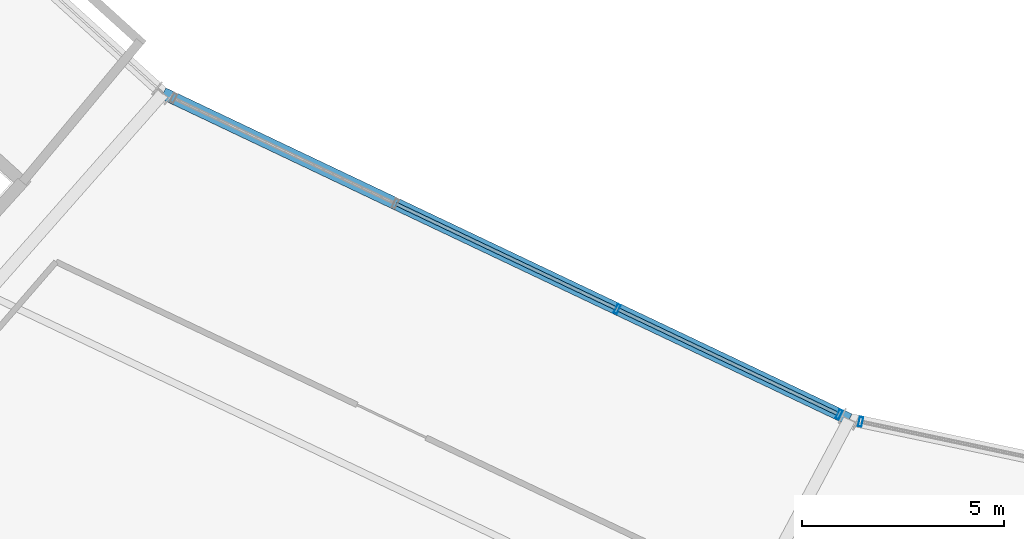
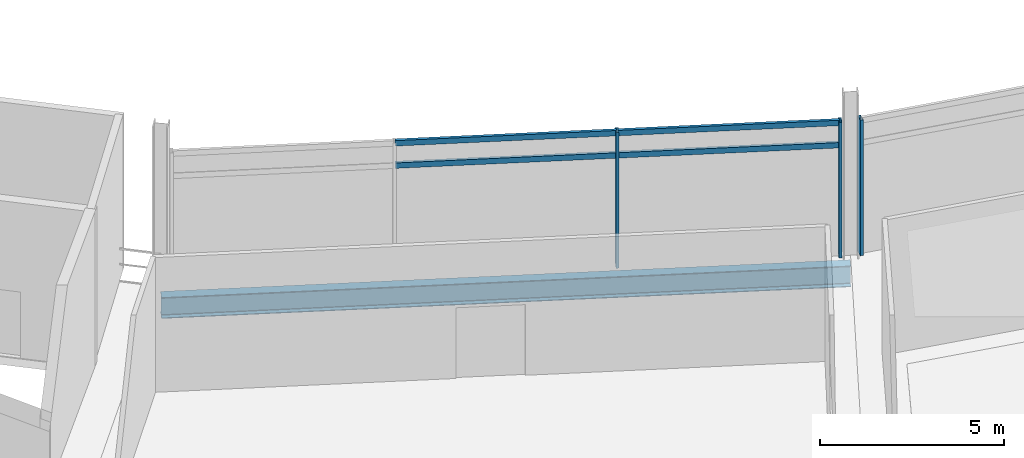
# One storey, part 21 of 86: 7 members, 1 beam, 2 elements without a shape of their own.
"""IFC4 building model written with IfcOpenShell, lengths in metres."""

from ifc_helpers import new_model, si_unit, direction, frame, origin, origin_2d, place, context, subcontext, project, spatial, hollow_rectangle, i_section, extrude, material, layer, layer_set, material_profile, profile_set, type_object, element, aggregate, save


model = new_model("IFC4")

# Units and contexts
model_context = context("Model", 3, precision=1e-05, world=origin(), true_north=direction((0.0, 1.0)))
body_context = subcontext(model_context, "Body", "Model", "MODEL_VIEW")
ifc_project = project(units=[si_unit("LENGTHUNIT", "METRE"), si_unit("AREAUNIT", "SQUARE_METRE"), si_unit("VOLUMEUNIT", "CUBIC_METRE"), si_unit("PLANEANGLEUNIT", "RADIAN"), si_unit("MASSUNIT", "GRAM", prefix="KILO")], contexts=[model_context])

# Site, building, storey
site_placement = place(None, origin())
site = spatial("IfcSite", under=ifc_project, at=site_placement, CompositionType="ELEMENT")
building_placement = place(site_placement, origin())
building = spatial("IfcBuilding", under=site, at=building_placement, Name="Kazemori Nagisa Stadium", CompositionType="ELEMENT")
storey_placement = place(building_placement, frame((0.0, 0.0, 31.280029296875)))
storey = spatial("IfcBuildingStorey", under=building, at=storey_placement, Name="L06", CompositionType="ELEMENT", Elevation=31.280029296875)

# Beam
ifc_material_1 = material(Name="Steel SN490B", Category="steel")
ifc_material_profile_1 = material_profile(ifc_material_1, i_section(OverallWidth=0.300048828125, OverallDepth=0.699951171875, WebThickness=0.012939453125, FlangeThickness=0.02392578125, FilletRadius=0.01806640625, at=origin_2d()), Name="H-700x300x13x24")
ifc_profile_set_1 = profile_set([ifc_material_profile_1], Name="Steel SN490B")
beam_type = type_object("IfcBeamType", Name="Beam_BG-H700", PredefinedType="BEAM", material=ifc_profile_set_1)
beam_placement = place(storey_placement, frame((69.165771484375, 40.88916015625, -0.610107421875), z_axis=(0.90321938295, -0.42917915404, 0.0), x_axis=(0.42917915404, 0.90321938295, 0.0)))
element("IfcBeam", 1, at=beam_placement, inside=storey, type_object=beam_type, Name="Ring girder BG-H700 L06 R2-19", PredefinedType="BEAM", context=body_context, shape_type="SweptSolid", body=[
    extrude(i_section(OverallWidth=0.300048828125, OverallDepth=0.699951171875, WebThickness=0.012939453125, FlangeThickness=0.02392578125, FilletRadius=0.01806640625, at=origin_2d()), origin(), (0.0, 0.0, 1.0), 18.84619140625),
])

# Curtain wall, members
ifc_material_2 = material(Name="Anodised aluminium 6063-T5", Category="aluminium")
ifc_layer_1 = layer(ifc_material_2, 0.239990234375, Name="Anodised aluminium 6063-T5", Category="aluminium")
ifc_layer_set_1 = layer_set([ifc_layer_1], Name="Anodised aluminium 6063-T5")
curtain_wall_type_1 = type_object("IfcCurtainWallType", Name="CW_L06G_92", PredefinedType="USERDEFINED", material=ifc_layer_set_1)
curtain_wall_1_placement = place(storey_placement, origin())
curtain_wall_1 = element("IfcCurtainWall", 2, at=curtain_wall_1_placement, inside=storey, type_object=curtain_wall_type_1, Name="Unitised curtain wall CW-L06G-92 L06", ObjectType="UNITISED CURTAIN WALL", PredefinedType="USERDEFINED")
ifc_material_3 = material(Name="Aluminium 6063-T5 anodised", Category="aluminium")
ifc_material_profile_2 = material_profile(ifc_material_3, hollow_rectangle(XDim=0.090087890625, YDim=0.239990234375, WallThickness=0.0048828125, at=origin_2d()), Name="ALU-MULL-90x240x5")
ifc_profile_set_2 = profile_set([ifc_material_profile_2], Name="Aluminium 6063-T5 anodised")
member_type_1 = type_object("IfcMemberType", Name="Mullion_M03", PredefinedType="MULLION", material=ifc_profile_set_2)
member_1_placement = place(storey_placement, frame((80.427978515625, 35.53759765625, 0.0), z_axis=(0.0, 0.0, 1.0), x_axis=(0.903215892654, -0.429186499388, 0.0)))
member_1 = element("IfcMember", 3, at=member_1_placement, type_object=member_type_1, Name="Curtain wall mullion CW-L06G-92-M3", PredefinedType="MULLION", context=body_context, shape_type="SweptSolid", body=[
    extrude(hollow_rectangle(XDim=0.090087890625, YDim=0.239990234375, WallThickness=0.0048828125, at=origin_2d()), origin(), (0.0, 0.0, 1.0), 4.510009765625),
])
member_2_placement = place(storey_placement, frame((85.930419921875, 32.923095703125, 0.0), z_axis=(0.0, 0.0, 1.0), x_axis=(0.903215892654, -0.429186499388, 0.0)))
member_2 = element("IfcMember", 4, at=member_2_placement, type_object=member_type_1, Name="Curtain wall mullion CW-L06G-92-M4", PredefinedType="MULLION", context=body_context, shape_type="SweptSolid", body=[
    extrude(hollow_rectangle(XDim=0.090087890625, YDim=0.239990234375, WallThickness=0.0048828125, at=origin_2d()), origin(), (0.0, 0.0, 1.0), 4.510009765625),
])

# Curtain wall, member
ifc_layer_2 = layer(ifc_material_2, 0.239990234375, Name="Anodised aluminium 6063-T5", Category="aluminium")
ifc_layer_set_2 = layer_set([ifc_layer_2], Name="Anodised aluminium 6063-T5")
curtain_wall_type_2 = type_object("IfcCurtainWallType", Name="CW_L06G_91", PredefinedType="USERDEFINED", material=ifc_layer_set_2)
curtain_wall_2_placement = place(storey_placement, origin())
curtain_wall_2 = element("IfcCurtainWall", 5, at=curtain_wall_2_placement, inside=storey, type_object=curtain_wall_type_2, Name="Unitised curtain wall CW-L06G-91 L06", ObjectType="UNITISED CURTAIN WALL", PredefinedType="USERDEFINED")
member_3_placement = place(storey_placement, frame((86.466796875, 32.74169921875, 0.0), z_axis=(0.0, 0.0, 1.0), x_axis=(0.978344955407, -0.206981033502, 0.0)))
member_3 = element("IfcMember", 6, at=member_3_placement, type_object=member_type_1, Name="Curtain wall mullion CW-L06G-91-M1", PredefinedType="MULLION", context=body_context, shape_type="SweptSolid", body=[
    extrude(hollow_rectangle(XDim=0.090087890625, YDim=0.239990234375, WallThickness=0.0048828125, at=origin_2d()), origin(), (0.0, 0.0, 1.0), 4.510009765625),
])
aggregate(curtain_wall_2, [member_3])

# Member
ifc_material_profile_3 = material_profile(ifc_material_3, hollow_rectangle(XDim=0.090087890625, YDim=0.179931640625, WallThickness=0.0048828125, at=origin_2d()), Name="ALU-TRAN-90x180x5")
ifc_profile_set_3 = profile_set([ifc_material_profile_3], Name="Aluminium 6063-T5 anodised")
member_type_2 = type_object("IfcMemberType", Name="Transom_T03", PredefinedType="USERDEFINED", material=ifc_profile_set_3)
member_4_placement = place(storey_placement, frame((74.943603515625, 38.143798828125, 3.6982421875), z_axis=(0.903218867774, -0.429180238242, 0.0), x_axis=(0.429180238242, 0.903218867774, 0.0)))
member_4 = element("IfcMember", 7, at=member_4_placement, type_object=member_type_2, Name="Curtain wall transom CW-L06G-92-T2-mid", ObjectType="TRANSOM", PredefinedType="USERDEFINED", context=body_context, shape_type="SweptSolid", body=[
    extrude(hollow_rectangle(XDim=0.090087890625, YDim=0.179931640625, WallThickness=0.0048828125, at=origin_2d()), origin(), (0.0, 0.0, 1.0), 6.052001953125),
])

member_5_placement = place(storey_placement, frame((74.943603515625, 38.143798828125, 4.43994140625), z_axis=(0.903218867774, -0.429180238242, 0.0), x_axis=(0.429180238242, 0.903218867774, 0.0)))
member_5 = element("IfcMember", 8, at=member_5_placement, type_object=member_type_2, Name="Curtain wall transom CW-L06G-92-T2-head", ObjectType="TRANSOM", PredefinedType="USERDEFINED", context=body_context, shape_type="SweptSolid", body=[
    extrude(hollow_rectangle(XDim=0.090087890625, YDim=0.179931640625, WallThickness=0.0048828125, at=origin_2d()), origin(), (0.0, 0.0, 1.0), 6.052001953125),
])

member_6_placement = place(storey_placement, frame((80.446044921875, 35.529052734375, 3.6982421875), z_axis=(0.903218867774, -0.429180238242, 0.0), x_axis=(0.429180238242, 0.903218867774, 0.0)))
member_6 = element("IfcMember", 9, at=member_6_placement, type_object=member_type_2, Name="Curtain wall transom CW-L06G-92-T3-mid", ObjectType="TRANSOM", PredefinedType="USERDEFINED", context=body_context, shape_type="SweptSolid", body=[
    extrude(hollow_rectangle(XDim=0.090087890625, YDim=0.179931640625, WallThickness=0.0048828125, at=origin_2d()), origin(), (0.0, 0.0, 1.0), 6.052001953125),
])

member_7_placement = place(storey_placement, frame((80.446044921875, 35.529052734375, 4.43994140625), z_axis=(0.903218867774, -0.429180238242, 0.0), x_axis=(0.429180238242, 0.903218867774, 0.0)))
member_7 = element("IfcMember", 10, at=member_7_placement, type_object=member_type_2, Name="Curtain wall transom CW-L06G-92-T3-head", ObjectType="TRANSOM", PredefinedType="USERDEFINED", context=body_context, shape_type="SweptSolid", body=[
    extrude(hollow_rectangle(XDim=0.090087890625, YDim=0.179931640625, WallThickness=0.0048828125, at=origin_2d()), origin(), (0.0, 0.0, 1.0), 6.052001953125),
])

aggregate(curtain_wall_1, [member_1, member_2, member_4, member_5, member_6, member_7])

save(model, "model.ifc")
